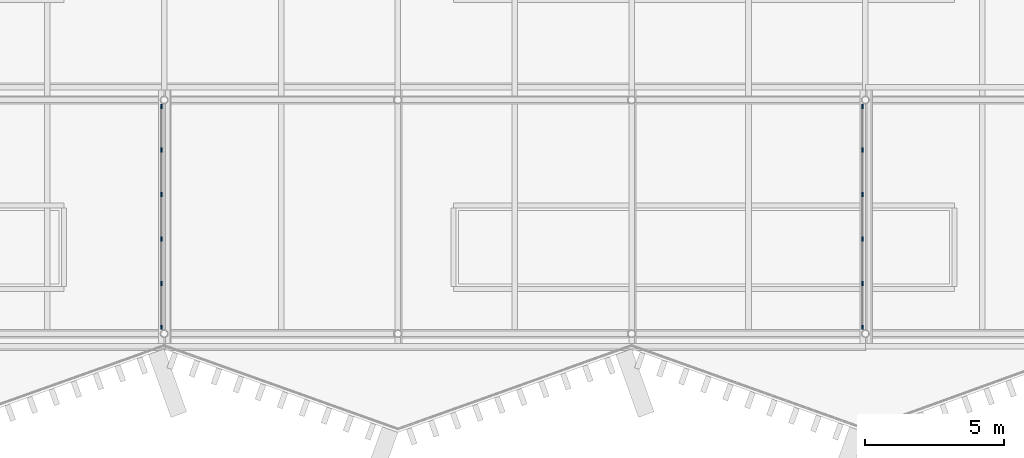
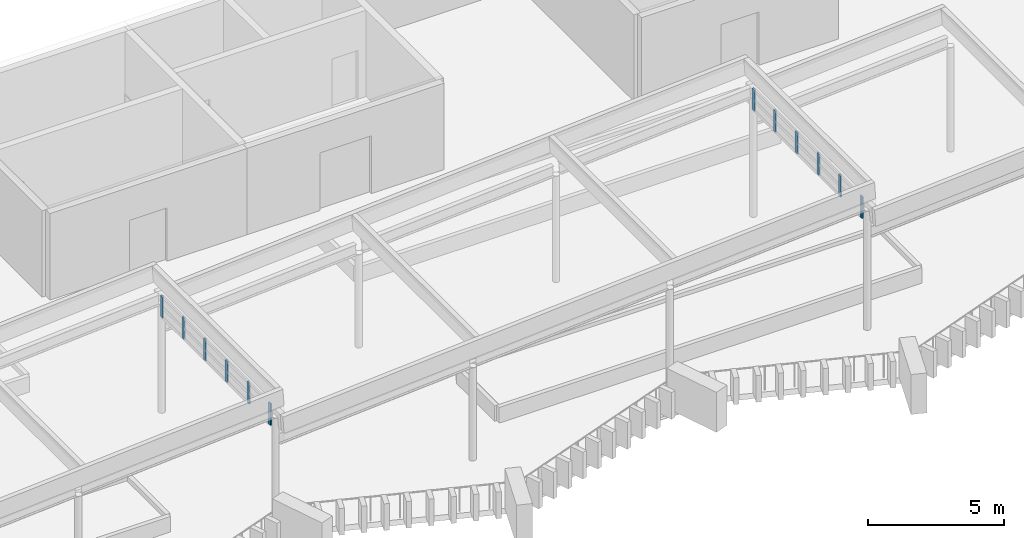
# One storey, part 25 of 51: 12 members, 2 elements without a shape of their own.
"""IFC4 building model written with IfcOpenShell, lengths in metres."""

from ifc_helpers import new_model, si_unit, direction, frame, origin, origin_2d, place, context, subcontext, project, spatial, rectangle, extrude, material, layer, layer_set, material_profile, profile_set, type_object, element, aggregate, save


model = new_model("IFC4")

# Units and contexts
model_context = context("Model", 3, precision=1e-05, world=origin(), true_north=direction((0.0, 1.0)))
body_context = subcontext(model_context, "Body", "Model", "MODEL_VIEW")
ifc_project = project(units=[si_unit("LENGTHUNIT", "METRE"), si_unit("AREAUNIT", "SQUARE_METRE"), si_unit("VOLUMEUNIT", "CUBIC_METRE"), si_unit("PLANEANGLEUNIT", "RADIAN"), si_unit("MASSUNIT", "GRAM", prefix="KILO")], contexts=[model_context])

# Site, building, storey
site_placement = place(None, origin())
site = spatial("IfcSite", under=ifc_project, at=site_placement, CompositionType="ELEMENT")
building_placement = place(site_placement, origin())
building = spatial("IfcBuilding", under=site, at=building_placement, Name="Cresset Court Congress Hotel", CompositionType="ELEMENT")
storey_placement = place(building_placement, frame((0.0, 0.0, 18.60009765625)))
storey = spatial("IfcBuildingStorey", under=building, at=storey_placement, Name="L04", CompositionType="ELEMENT", Elevation=18.60009765625)

# Curtain wall, members
ifc_material_1 = material(Name="Aluminium frame with double glazing", Category="aluminium")
ifc_layer = layer(ifc_material_1, 0.199951171875)
ifc_layer_set = layer_set([ifc_layer], Name="Glazed box curtain wall 1680 module")
curtain_wall_type = type_object("IfcCurtainWallType", Name="Glazed box curtain wall 1680 module", PredefinedType="NOTDEFINED", material=ifc_layer_set)
curtain_wall_1_placement = place(storey_placement, origin())
curtain_wall_1 = element("IfcCurtainWall", 1, at=curtain_wall_1_placement, inside=storey, type_object=curtain_wall_type, Name="Roof light face 1", PredefinedType="NOTDEFINED")
ifc_material_2 = material(Name="Aluminium", Category="aluminium")
ifc_material_profile = material_profile(ifc_material_2, rectangle(XDim=0.06005859375, YDim=0.159912109375, at=origin_2d()), Name="Box mullion 60x160")
ifc_profile_set = profile_set([ifc_material_profile], Name="Aluminium")
member_type = type_object("IfcMemberType", Name="Box mullion 60x160", PredefinedType="MULLION", material=ifc_profile_set)
member_1_placement = place(storey_placement, frame((33.5, 0.22998046875, 4.39990234375), z_axis=(0.0, 0.0, 1.0), x_axis=(-1.0, 0.0, 0.0)))
member_1 = element("IfcMember", 2, at=member_1_placement, type_object=member_type, Name="B-X1 mullion 1", PredefinedType="MULLION", context=body_context, shape_type="SweptSolid", body=[
    extrude(rectangle(XDim=0.06005859375, YDim=0.159912109375, at=origin_2d()), origin(), (0.0, 0.0, 1.0), 0.964111328125),
])
member_2_placement = place(storey_placement, frame((33.5, 1.800048828125, 4.39990234375), z_axis=(0.0, 0.0, 1.0), x_axis=(-1.0, 0.0, 0.0)))
member_2 = element("IfcMember", 3, at=member_2_placement, type_object=member_type, Name="B-X1 mullion 2", PredefinedType="MULLION", context=body_context, shape_type="SweptSolid", body=[
    extrude(rectangle(XDim=0.06005859375, YDim=0.159912109375, at=origin_2d()), origin(), (0.0, 0.0, 1.0), 0.964111328125),
])
member_3_placement = place(storey_placement, frame((33.5, 3.39990234375, 4.39990234375), z_axis=(0.0, 0.0, 1.0), x_axis=(-1.0, 0.0, 0.0)))
member_3 = element("IfcMember", 4, at=member_3_placement, type_object=member_type, Name="B-X1 mullion 3", PredefinedType="MULLION", context=body_context, shape_type="SweptSolid", body=[
    extrude(rectangle(XDim=0.06005859375, YDim=0.159912109375, at=origin_2d()), origin(), (0.0, 0.0, 1.0), 0.964111328125),
])
member_4_placement = place(storey_placement, frame((33.5, 5.0, 4.39990234375), z_axis=(0.0, 0.0, 1.0), x_axis=(-1.0, 0.0, 0.0)))
member_4 = element("IfcMember", 5, at=member_4_placement, type_object=member_type, Name="B-X1 mullion 4", PredefinedType="MULLION", context=body_context, shape_type="SweptSolid", body=[
    extrude(rectangle(XDim=0.06005859375, YDim=0.159912109375, at=origin_2d()), origin(), (0.0, 0.0, 1.0), 0.964111328125),
])
member_5_placement = place(storey_placement, frame((33.5, 6.60009765625, 4.39990234375), z_axis=(0.0, 0.0, 1.0), x_axis=(-1.0, 0.0, 0.0)))
member_5 = element("IfcMember", 6, at=member_5_placement, type_object=member_type, Name="B-X1 mullion 5", PredefinedType="MULLION", context=body_context, shape_type="SweptSolid", body=[
    extrude(rectangle(XDim=0.06005859375, YDim=0.159912109375, at=origin_2d()), origin(), (0.0, 0.0, 1.0), 0.964111328125),
])
member_6_placement = place(storey_placement, frame((33.5, 8.169921875, 4.39990234375), z_axis=(0.0, 0.0, 1.0), x_axis=(-1.0, 0.0, 0.0)))
member_6 = element("IfcMember", 7, at=member_6_placement, type_object=member_type, Name="B-X1 mullion 6", PredefinedType="MULLION", context=body_context, shape_type="SweptSolid", body=[
    extrude(rectangle(XDim=0.06005859375, YDim=0.159912109375, at=origin_2d()), origin(), (0.0, 0.0, 1.0), 0.964111328125),
])
aggregate(curtain_wall_1, [member_1, member_2, member_3, member_4, member_5, member_6])

curtain_wall_2_placement = place(storey_placement, origin())
curtain_wall_2 = element("IfcCurtainWall", 8, at=curtain_wall_2_placement, inside=storey, type_object=curtain_wall_type, Name="Roof light face 2", PredefinedType="NOTDEFINED")
member_7_placement = place(storey_placement, frame((58.699951171875, 0.22998046875, 4.89990234375), z_axis=(0.0, 0.0, 1.0), x_axis=(-1.0, 0.0, 0.0)))
member_7 = element("IfcMember", 9, at=member_7_placement, type_object=member_type, Name="B-X1 mullion 1", PredefinedType="MULLION", context=body_context, shape_type="SweptSolid", body=[
    extrude(rectangle(XDim=0.06005859375, YDim=0.159912109375, at=origin_2d()), origin(), (0.0, 0.0, 1.0), 0.964111328125),
])
member_8_placement = place(storey_placement, frame((58.699951171875, 1.800048828125, 4.89990234375), z_axis=(0.0, 0.0, 1.0), x_axis=(-1.0, 0.0, 0.0)))
member_8 = element("IfcMember", 10, at=member_8_placement, type_object=member_type, Name="B-X1 mullion 2", PredefinedType="MULLION", context=body_context, shape_type="SweptSolid", body=[
    extrude(rectangle(XDim=0.06005859375, YDim=0.159912109375, at=origin_2d()), origin(), (0.0, 0.0, 1.0), 0.964111328125),
])
member_9_placement = place(storey_placement, frame((58.699951171875, 3.39990234375, 4.89990234375), z_axis=(0.0, 0.0, 1.0), x_axis=(-1.0, 0.0, 0.0)))
member_9 = element("IfcMember", 11, at=member_9_placement, type_object=member_type, Name="B-X1 mullion 3", PredefinedType="MULLION", context=body_context, shape_type="SweptSolid", body=[
    extrude(rectangle(XDim=0.06005859375, YDim=0.159912109375, at=origin_2d()), origin(), (0.0, 0.0, 1.0), 0.964111328125),
])
member_10_placement = place(storey_placement, frame((58.699951171875, 5.0, 4.89990234375), z_axis=(0.0, 0.0, 1.0), x_axis=(-1.0, 0.0, 0.0)))
member_10 = element("IfcMember", 12, at=member_10_placement, type_object=member_type, Name="B-X1 mullion 4", PredefinedType="MULLION", context=body_context, shape_type="SweptSolid", body=[
    extrude(rectangle(XDim=0.06005859375, YDim=0.159912109375, at=origin_2d()), origin(), (0.0, 0.0, 1.0), 0.964111328125),
])
member_11_placement = place(storey_placement, frame((58.699951171875, 6.60009765625, 4.89990234375), z_axis=(0.0, 0.0, 1.0), x_axis=(-1.0, 0.0, 0.0)))
member_11 = element("IfcMember", 13, at=member_11_placement, type_object=member_type, Name="B-X1 mullion 5", PredefinedType="MULLION", context=body_context, shape_type="SweptSolid", body=[
    extrude(rectangle(XDim=0.06005859375, YDim=0.159912109375, at=origin_2d()), origin(), (0.0, 0.0, 1.0), 0.964111328125),
])
member_12_placement = place(storey_placement, frame((58.699951171875, 8.169921875, 4.89990234375), z_axis=(0.0, 0.0, 1.0), x_axis=(-1.0, 0.0, 0.0)))
member_12 = element("IfcMember", 14, at=member_12_placement, type_object=member_type, Name="B-X1 mullion 6", PredefinedType="MULLION", context=body_context, shape_type="SweptSolid", body=[
    extrude(rectangle(XDim=0.06005859375, YDim=0.159912109375, at=origin_2d()), origin(), (0.0, 0.0, 1.0), 0.964111328125),
])
aggregate(curtain_wall_2, [member_7, member_8, member_9, member_10, member_11, member_12])

save(model, "model.ifc")
